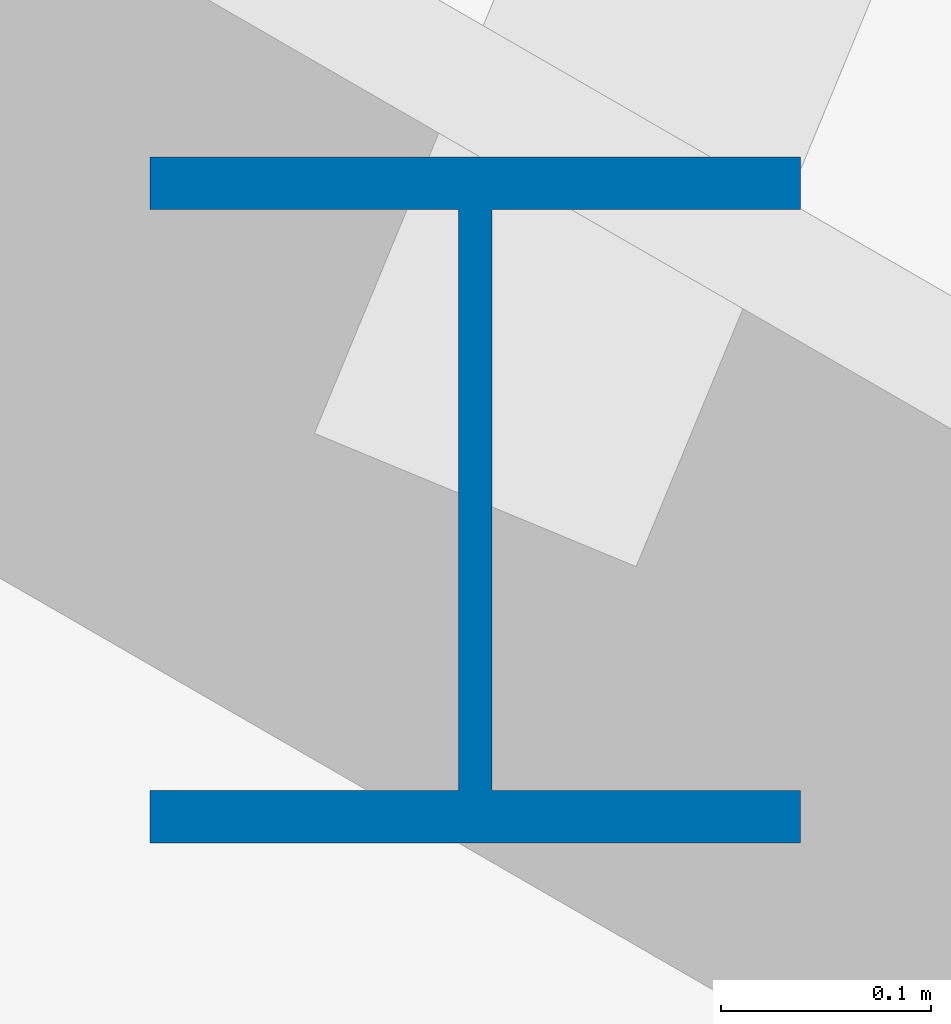
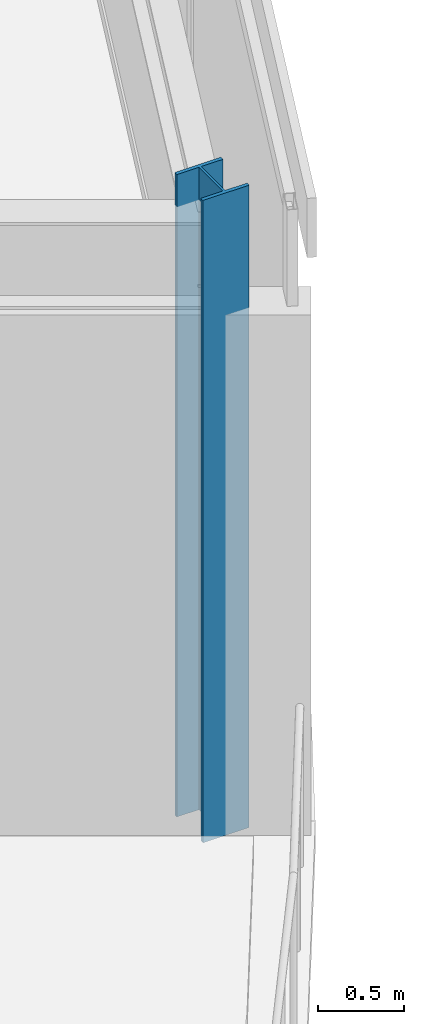
# One storey, part 6 of 133: 1 column.
"""IFC4 building model written with IfcOpenShell, lengths in metres."""

from ifc_helpers import new_model, si_unit, direction, frame, origin, origin_2d, place, context, subcontext, project, spatial, i_section, extrude, material, material_profile, profile_set, type_object, element, save


model = new_model("IFC4")

# Units and contexts
model_context = context("Model", 3, precision=1e-05, world=origin(), true_north=direction((0.0, 1.0)))
body_context = subcontext(model_context, "Body", "Model", "MODEL_VIEW")
ifc_project = project(units=[si_unit("LENGTHUNIT", "METRE"), si_unit("AREAUNIT", "SQUARE_METRE"), si_unit("VOLUMEUNIT", "CUBIC_METRE"), si_unit("PLANEANGLEUNIT", "RADIAN"), si_unit("MASSUNIT", "GRAM", prefix="KILO")], contexts=[model_context])

# Site, building, storey
site_placement = place(None, origin())
site = spatial("IfcSite", under=ifc_project, at=site_placement, CompositionType="ELEMENT")
building_placement = place(site_placement, origin())
building = spatial("IfcBuilding", under=site, at=building_placement, Name="Almandine Court Research Institute", CompositionType="ELEMENT")
storey_placement = place(building_placement, frame((0.0, 0.0, 9.800048828125)))
storey = spatial("IfcBuildingStorey", under=building, at=storey_placement, Name="L02", CompositionType="ELEMENT", Elevation=9.800048828125)

# Column
ifc_material = material(Name="Steel ASTM A992 Grade 50", Category="steel")
ifc_material_profile = material_profile(ifc_material, i_section(OverallWidth=0.31005859375, OverallDepth=0.326904296875, WebThickness=0.01611328125, FlangeThickness=0.02490234375, at=origin_2d()), Name="W310x158")
ifc_profile_set = profile_set([ifc_material_profile], Name="Steel ASTM A992 Grade 50")
column_type = type_object("IfcColumnType", Name="Col-C-W06-E", PredefinedType="COLUMN", material=ifc_profile_set)
column_placement = place(storey_placement, frame((129.34912109375, 31.550048828125, 0.0), z_axis=(0.0, 0.0, 1.0), x_axis=(1.0, 0.0, 0.0)))
element("IfcColumn", 1, at=column_placement, inside=storey, type_object=column_type, Name="L02 V5 Column V5-OUT-S22", PredefinedType="COLUMN", context=body_context, shape_type="SweptSolid", body=[
    extrude(i_section(OverallWidth=0.31005859375, OverallDepth=0.326904296875, WebThickness=0.01611328125, FlangeThickness=0.02490234375, at=origin_2d()), origin(), (0.0, 0.0, 1.0), 4.550048828125),
])

save(model, "model.ifc")
